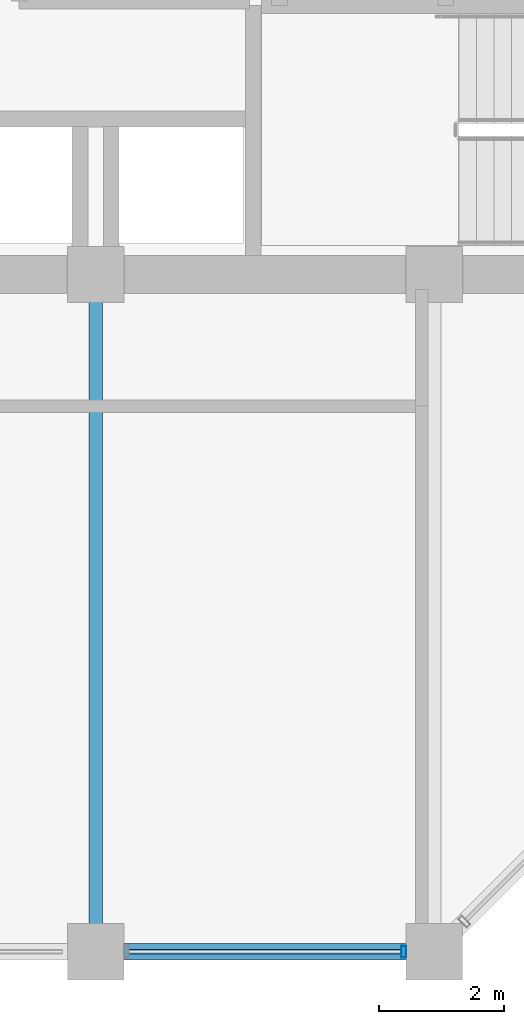
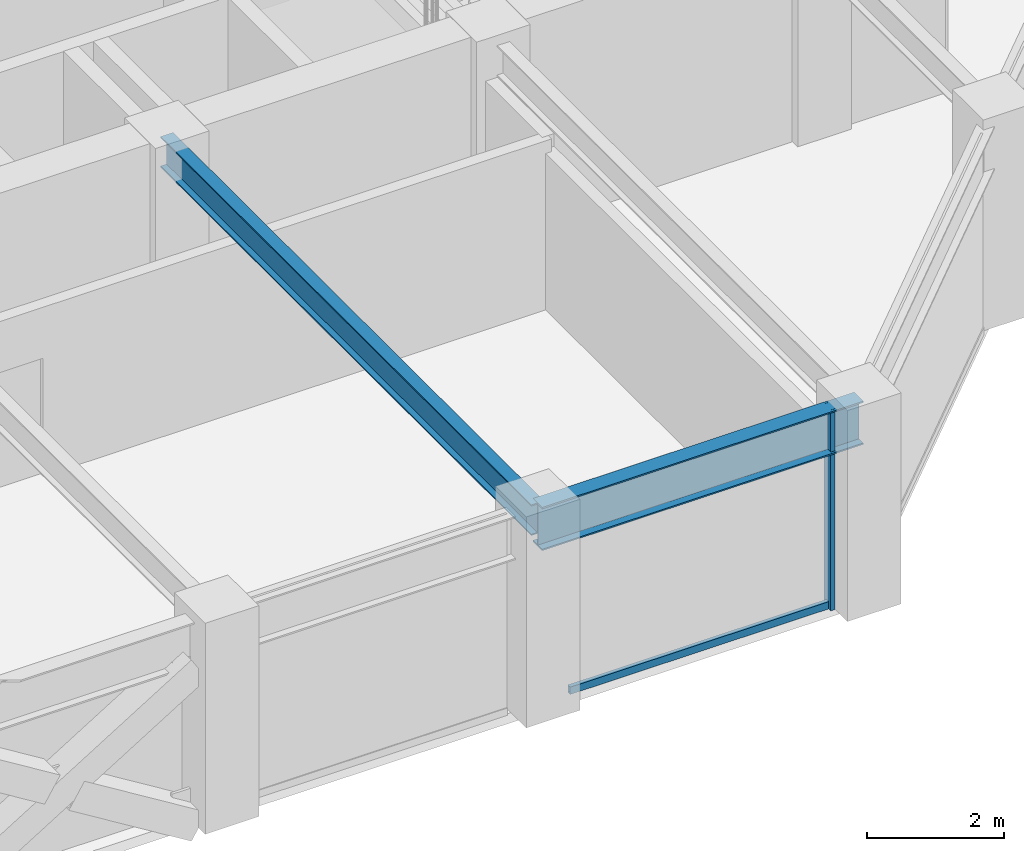
# One storey, part 7 of 32: 2 beams, 2 members, 1 element without a shape of its own.
"""IFC4 building model written with IfcOpenShell, lengths in metres."""

from ifc_helpers import new_model, si_unit, direction, frame, origin, origin_2d, place, context, subcontext, project, spatial, hollow_rectangle, i_section, extrude, material, layer, layer_set, material_profile, profile_set, type_object, element, aggregate, save


model = new_model("IFC4")

# Units and contexts
model_context = context("Model", 3, precision=1e-05, world=origin(), true_north=direction((0.0, 1.0)))
body_context = subcontext(model_context, "Body", "Model", "MODEL_VIEW")
ifc_project = project(units=[si_unit("LENGTHUNIT", "METRE"), si_unit("AREAUNIT", "SQUARE_METRE"), si_unit("VOLUMEUNIT", "CUBIC_METRE"), si_unit("PLANEANGLEUNIT", "RADIAN"), si_unit("MASSUNIT", "GRAM", prefix="KILO")], contexts=[model_context])

# Site, building, storey
site_placement = place(None, origin())
site = spatial("IfcSite", under=ifc_project, at=site_placement, CompositionType="ELEMENT")
building_placement = place(site_placement, origin())
building = spatial("IfcBuilding", under=site, at=building_placement, Name="Surkhivell Harbour Commons", CompositionType="ELEMENT")
storey_placement = place(building_placement, frame((0.0, 0.0, 201.0)))
storey = spatial("IfcBuildingStorey", under=building, at=storey_placement, Name="L52", CompositionType="ELEMENT", Elevation=201.0)

# Beams
ifc_material_1 = material(Name="Steel S355", Category="steel")
ifc_material_profile_1 = material_profile(ifc_material_1, i_section(OverallWidth=0.2119140625, OverallDepth=0.5439453125, WebThickness=0.0126953125, FlangeThickness=0.021240234375, at=origin_2d()), Name="UB533x210x122")
ifc_profile_set_1 = profile_set([ifc_material_profile_1], Name="Steel S355")
beam_type_1 = type_object("IfcBeamType", Name="BM-GRD-533A", PredefinedType="BEAM", material=ifc_profile_set_1)
beam_1_placement = place(storey_placement, frame((0.0, -21.60009765625, 3.298095703125), z_axis=(0.0, 1.0, 0.0), x_axis=(-1.0, 0.0, 0.0)))
element("IfcBeam", 1, at=beam_1_placement, inside=storey, type_object=beam_type_1, Name="L52 Floor Girder (0.0,-21.6)", PredefinedType="BEAM", context=body_context, shape_type="SweptSolid", body=[
    extrude(i_section(OverallWidth=0.2119140625, OverallDepth=0.5439453125, WebThickness=0.0126953125, FlangeThickness=0.021240234375, at=origin_2d()), origin(), (0.0, 0.0, 1.0), 10.800048828125),
])
ifc_material_profile_2 = material_profile(ifc_material_1, i_section(OverallWidth=0.26806640625, OverallDepth=0.77001953125, WebThickness=0.015625, FlangeThickness=0.025390625, at=origin_2d()), Name="UB762x267x197")
ifc_profile_set_2 = profile_set([ifc_material_profile_2], Name="Steel S355")
beam_type_2 = type_object("IfcBeamType", Name="BM-SPN-762", PredefinedType="SPANDREL", material=ifc_profile_set_2)
beam_2_placement = place(storey_placement, frame((0.0, -21.60009765625, 3.18505859375), z_axis=(1.0, 0.0, 0.0), x_axis=(0.0, 1.0, 0.0)))
element("IfcBeam", 2, at=beam_2_placement, inside=storey, type_object=beam_type_2, Name="L52 Tube Spandrel (-0.0,-21.6)", PredefinedType="SPANDREL", context=body_context, shape_type="SweptSolid", body=[
    extrude(i_section(OverallWidth=0.26806640625, OverallDepth=0.77001953125, WebThickness=0.015625, FlangeThickness=0.025390625, at=origin_2d()), origin(), (0.0, 0.0, 1.0), 5.39990234375),
])

# Curtain wall, members
ifc_material_2 = material(Name="Anodised pale-metal aluminium and insulated glazing", Category="aluminium")
ifc_layer = layer(ifc_material_2, 0.18994140625)
ifc_layer_set = layer_set([ifc_layer], Name="Anodised pale-metal aluminium and insulated glazing")
curtain_wall_type = type_object("IfcCurtainWallType", Name="CW-SYS-Z3", PredefinedType="NOTDEFINED", material=ifc_layer_set)
curtain_wall_placement = place(storey_placement, origin())
curtain_wall = element("IfcCurtainWall", 3, at=curtain_wall_placement, inside=storey, type_object=curtain_wall_type, Name="L52 Curtain Wall CW-L52-E00S2", PredefinedType="NOTDEFINED")
ifc_material_3 = material(Name="Anodised pale-metal aluminium alloy 6063-T6", Category="aluminium")
ifc_material_profile_3 = material_profile(ifc_material_3, hollow_rectangle(XDim=0.074951171875, YDim=0.18994140625, WallThickness=0.00390625, at=origin_2d()), Name="ALU-MULL-75x190")
ifc_profile_set_3 = profile_set([ifc_material_profile_3], Name="Anodised pale-metal aluminium alloy 6063-T6")
member_type_1 = type_object("IfcMemberType", Name="CWM-190", PredefinedType="MULLION", material=ifc_profile_set_3)
member_1_placement = place(storey_placement, frame((4.910400390625, -21.60009765625, 0.0), z_axis=(0.0, 0.0, 1.0), x_axis=(1.0, 0.0, 0.0)))
member_1 = element("IfcMember", 4, at=member_1_placement, type_object=member_type_1, Name="CW-Z3 mullion 3", PredefinedType="MULLION", context=body_context, shape_type="SweptSolid", body=[
    extrude(hollow_rectangle(XDim=0.074951171875, YDim=0.18994140625, WallThickness=0.00390625, at=origin_2d()), origin(), (0.0, 0.0, 1.0), 3.570068359375),
])
ifc_material_4 = material(Name="Champagne anodised aluminium alloy 6063-T6", Category="aluminium")
ifc_material_profile_4 = material_profile(ifc_material_4, hollow_rectangle(XDim=0.070068359375, YDim=0.1298828125, WallThickness=0.00341796875, at=origin_2d()), Name="ALU-TRAN-70x130")
ifc_profile_set_4 = profile_set([ifc_material_profile_4], Name="Champagne anodised aluminium alloy 6063-T6")
member_type_2 = type_object("IfcMemberType", Name="CWT-130", PredefinedType="USERDEFINED", material=ifc_profile_set_4)
member_2_placement = place(storey_placement, frame((0.527099609375, -21.60009765625, 0.06494140625), z_axis=(1.0, 0.0, 0.0), x_axis=(0.0, 1.0, 0.0)))
member_2 = element("IfcMember", 5, at=member_2_placement, type_object=member_type_2, Name="CW-Z3 transom 2.1", ObjectType="TRANSOM", PredefinedType="USERDEFINED", context=body_context, shape_type="SweptSolid", body=[
    extrude(hollow_rectangle(XDim=0.070068359375, YDim=0.1298828125, WallThickness=0.00341796875, at=origin_2d()), origin(), (0.0, 0.0, 1.0), 4.345947265625),
])
aggregate(curtain_wall, [member_1, member_2])

save(model, "model.ifc")
